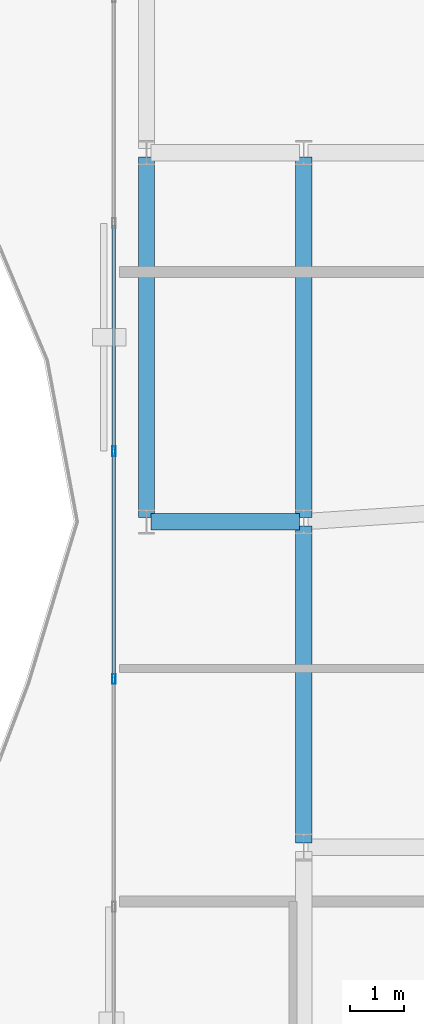
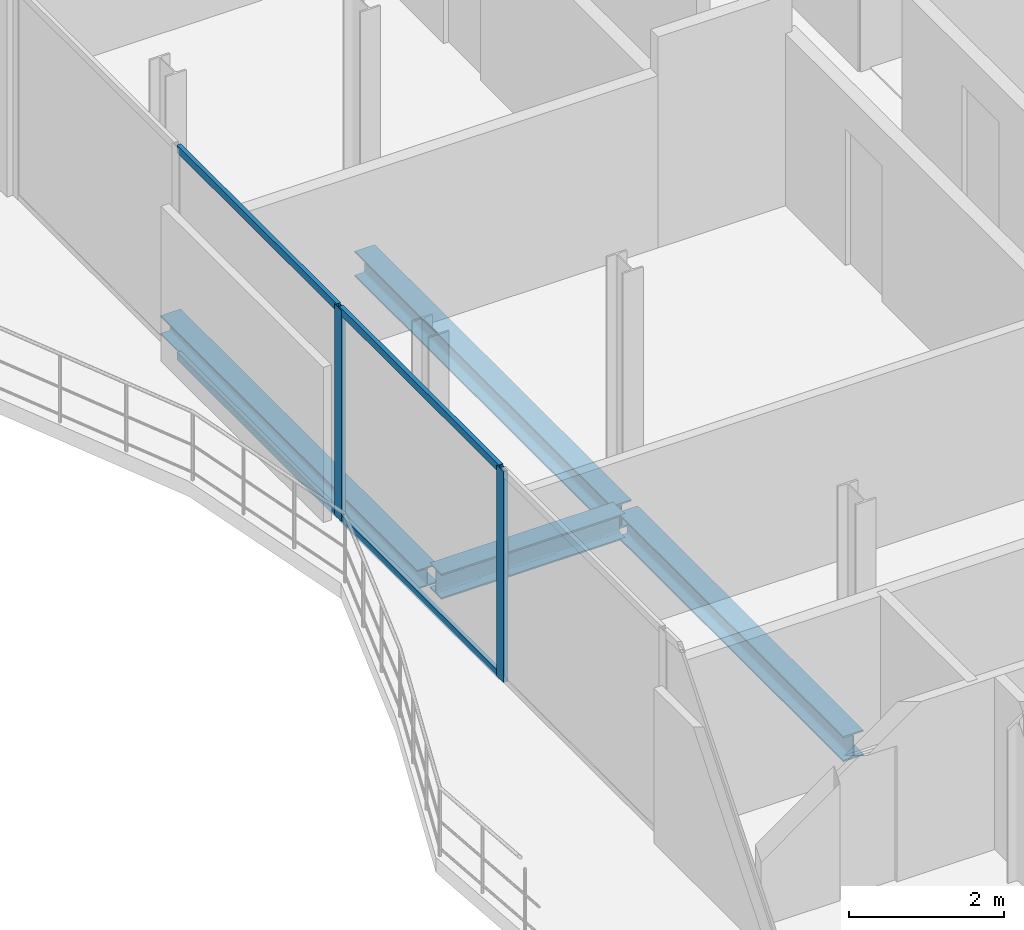
# One storey, part 7 of 23: 6 members, 4 beams, 1 element without a shape of its own.
"""IFC4 building model written with IfcOpenShell, lengths in metres."""

from ifc_helpers import new_model, si_unit, direction, frame, origin, origin_2d, place, context, subcontext, project, spatial, hollow_rectangle, i_section, extrude, material, layer, layer_set, material_profile, profile_set, type_object, element, aggregate, save


model = new_model("IFC4")

# Units and contexts
model_context = context("Model", 3, precision=1e-05, world=origin(), true_north=direction((0.0, 1.0)))
body_context = subcontext(model_context, "Body", "Model", "MODEL_VIEW")
ifc_project = project(units=[si_unit("LENGTHUNIT", "METRE"), si_unit("AREAUNIT", "SQUARE_METRE"), si_unit("VOLUMEUNIT", "CUBIC_METRE"), si_unit("PLANEANGLEUNIT", "RADIAN"), si_unit("MASSUNIT", "GRAM", prefix="KILO")], contexts=[model_context])

# Site, building, storey
site_placement = place(None, origin())
site = spatial("IfcSite", under=ifc_project, at=site_placement, CompositionType="ELEMENT")
building_placement = place(site_placement, origin())
building = spatial("IfcBuilding", under=site, at=building_placement, Name="Catumbela Crestline Tower", CompositionType="ELEMENT")
storey_placement = place(building_placement, frame((0.0, 0.0, 201.0)))
storey = spatial("IfcBuildingStorey", under=building, at=storey_placement, Name="L52", CompositionType="ELEMENT", Elevation=201.0)

# Beams
ifc_material_1 = material(Name="Structural steel S355J2", Category="steel")
ifc_material_profile_1 = material_profile(ifc_material_1, i_section(OverallWidth=0.3, OverallDepth=0.4, WebThickness=0.0135, FlangeThickness=0.024, FilletRadius=0.027, at=origin_2d()), Name="HEB 400")
ifc_profile_set_1 = profile_set([ifc_material_profile_1], Name="Structural steel S355J2")
beam_type_1 = type_object("IfcBeamType", Name="BG-HEB400", PredefinedType="BEAM", material=ifc_profile_set_1)
beam_1_placement = place(storey_placement, frame((5.68, 24.0, -0.46), z_axis=(1.0, 0.0, 0.0), x_axis=(0.0, 1.0, 0.0)))
element("IfcBeam", 1, at=beam_1_placement, inside=storey, type_object=beam_type_1, Name="L52 Beam BM-L52-S01", PredefinedType="BEAM", context=body_context, shape_type="SweptSolid", body=[
    extrude(i_section(OverallWidth=0.3, OverallDepth=0.4, WebThickness=0.0135, FlangeThickness=0.024, FilletRadius=0.027, at=origin_2d()), origin(), (0.0, 0.0, 1.0), 2.74),
])
beam_2_placement = place(storey_placement, frame((8.5, 24.08, -0.46), z_axis=(0.0, 1.0, 0.0), x_axis=(-1.0, 0.0, 0.0)))
element("IfcBeam", 2, at=beam_2_placement, inside=storey, type_object=beam_type_1, Name="L52 Beam BM-L52-SN16", PredefinedType="BEAM", context=body_context, shape_type="SweptSolid", body=[
    extrude(i_section(OverallWidth=0.3, OverallDepth=0.4, WebThickness=0.0135, FlangeThickness=0.024, FilletRadius=0.027, at=origin_2d()), origin(), (0.0, 0.0, 1.0), 6.64),
])
beam_3_placement = place(storey_placement, frame((8.5, 18.08, -0.46), z_axis=(0.0, 1.0, 0.0), x_axis=(-1.0, 0.0, 0.0)))
element("IfcBeam", 3, at=beam_3_placement, inside=storey, type_object=beam_type_1, Name="L52 Beam BM-L52-WNS39", PredefinedType="BEAM", context=body_context, shape_type="SweptSolid", body=[
    extrude(i_section(OverallWidth=0.3, OverallDepth=0.4, WebThickness=0.0135, FlangeThickness=0.024, FilletRadius=0.027, at=origin_2d()), origin(), (0.0, 0.0, 1.0), 5.84),
])

# Curtain wall, members
ifc_material_2 = material(Name="Aluminium alloy AW-6060-T66", Category="aluminium")
ifc_layer = layer(ifc_material_2, 0.18, Name="Aluminium alloy AW-6060-T66")
ifc_layer_set = layer_set([ifc_layer], Name="Aluminium alloy AW-6060-T66")
curtain_wall_type = type_object("IfcCurtainWallType", Name="CWU-Z3", PredefinedType="USERDEFINED", material=ifc_layer_set)
curtain_wall_placement = place(storey_placement, origin())
curtain_wall = element("IfcCurtainWall", 4, at=curtain_wall_placement, inside=storey, type_object=curtain_wall_type, Name="L52 Unitised Curtain Wall CW-L52-E9S2", ObjectType="UNITISED", PredefinedType="USERDEFINED")
ifc_material_profile_2 = material_profile(ifc_material_2, hollow_rectangle(XDim=0.065, YDim=0.18, WallThickness=0.004, at=origin_2d()), Name="ALU 180x65x4")
ifc_profile_set_2 = profile_set([ifc_material_profile_2], Name="Aluminium alloy AW-6060-T66")
member_type_1 = type_object("IfcMemberType", Name="MUL-180X65", PredefinedType="MULLION", material=ifc_profile_set_2)
member_1_placement = place(storey_placement, frame((5.0, 25.3, 0.0), z_axis=(0.0, 0.0, 1.0), x_axis=(1.0, 0.0, 0.0)))
member_1 = element("IfcMember", 5, at=member_1_placement, type_object=member_type_1, Name="CWU-Z3 mullion 3", PredefinedType="MULLION", context=body_context, shape_type="SweptSolid", body=[
    extrude(hollow_rectangle(XDim=0.065, YDim=0.18, WallThickness=0.004, at=origin_2d()), origin(), (0.0, 0.0, 1.0), 3.33),
])
member_2_placement = place(storey_placement, frame((5.0, 21.1, 0.0), z_axis=(0.0, 0.0, 1.0), x_axis=(1.0, 0.0, 0.0)))
member_2 = element("IfcMember", 6, at=member_2_placement, type_object=member_type_1, Name="CWU-Z3 mullion 4", PredefinedType="MULLION", context=body_context, shape_type="SweptSolid", body=[
    extrude(hollow_rectangle(XDim=0.065, YDim=0.18, WallThickness=0.004, at=origin_2d()), origin(), (0.0, 0.0, 1.0), 3.33),
])

# Beam
ifc_material_profile_3 = material_profile(ifc_material_1, i_section(OverallWidth=0.3, OverallDepth=0.3, WebThickness=0.011, FlangeThickness=0.019, FilletRadius=0.027, at=origin_2d()), Name="HEB 300")
ifc_profile_set_3 = profile_set([ifc_material_profile_3], Name="Structural steel S355J2")
beam_type_2 = type_object("IfcBeamType", Name="BS-HEB300", PredefinedType="SPANDREL", material=ifc_profile_set_3)
beam_4_placement = place(storey_placement, frame((5.6, 24.08, -0.41), z_axis=(0.0, 1.0, 0.0), x_axis=(-1.0, 0.0, 0.0)))
element("IfcBeam", 7, at=beam_4_placement, inside=storey, type_object=beam_type_2, Name="L52 Spandrel SP-L52-SN14", PredefinedType="SPANDREL", context=body_context, shape_type="SweptSolid", body=[
    extrude(i_section(OverallWidth=0.3, OverallDepth=0.3, WebThickness=0.011, FlangeThickness=0.019, FilletRadius=0.027, at=origin_2d()), origin(), (0.0, 0.0, 1.0), 6.64),
])

# Member
ifc_material_profile_4 = material_profile(ifc_material_2, hollow_rectangle(XDim=0.06, YDim=0.12, WallThickness=0.0035, at=origin_2d()), Name="ALU 120x60x3.5")
ifc_profile_set_4 = profile_set([ifc_material_profile_4], Name="Aluminium alloy AW-6060-T66")
member_type_2 = type_object("IfcMemberType", Name="TRN-120X60", PredefinedType="USERDEFINED", material=ifc_profile_set_4)
member_3_placement = place(storey_placement, frame((5.0, 29.4675, 0.03), z_axis=(0.0, -1.0, 0.0), x_axis=(1.0, 0.0, 0.0)))
member_3 = element("IfcMember", 8, at=member_3_placement, type_object=member_type_2, Name="CWU-Z3 transom 2.1", ObjectType="TRANSOM", PredefinedType="USERDEFINED", context=body_context, shape_type="SweptSolid", body=[
    extrude(hollow_rectangle(XDim=0.06, YDim=0.12, WallThickness=0.0035, at=origin_2d()), origin(), (0.0, 0.0, 1.0), 4.135),
])

member_4_placement = place(storey_placement, frame((5.0, 29.4675, 3.3), z_axis=(0.0, -1.0, 0.0), x_axis=(1.0, 0.0, 0.0)))
member_4 = element("IfcMember", 9, at=member_4_placement, type_object=member_type_2, Name="CWU-Z3 transom 2.2", ObjectType="TRANSOM", PredefinedType="USERDEFINED", context=body_context, shape_type="SweptSolid", body=[
    extrude(hollow_rectangle(XDim=0.06, YDim=0.12, WallThickness=0.0035, at=origin_2d()), origin(), (0.0, 0.0, 1.0), 4.135),
])

member_5_placement = place(storey_placement, frame((5.0, 25.2675, 0.03), z_axis=(0.0, -1.0, 0.0), x_axis=(1.0, 0.0, 0.0)))
member_5 = element("IfcMember", 10, at=member_5_placement, type_object=member_type_2, Name="CWU-Z3 transom 3.1", ObjectType="TRANSOM", PredefinedType="USERDEFINED", context=body_context, shape_type="SweptSolid", body=[
    extrude(hollow_rectangle(XDim=0.06, YDim=0.12, WallThickness=0.0035, at=origin_2d()), origin(), (0.0, 0.0, 1.0), 4.135),
])

member_6_placement = place(storey_placement, frame((5.0, 25.2675, 3.3), z_axis=(0.0, -1.0, 0.0), x_axis=(1.0, 0.0, 0.0)))
member_6 = element("IfcMember", 11, at=member_6_placement, type_object=member_type_2, Name="CWU-Z3 transom 3.2", ObjectType="TRANSOM", PredefinedType="USERDEFINED", context=body_context, shape_type="SweptSolid", body=[
    extrude(hollow_rectangle(XDim=0.06, YDim=0.12, WallThickness=0.0035, at=origin_2d()), origin(), (0.0, 0.0, 1.0), 4.135),
])

aggregate(curtain_wall, [member_1, member_2, member_3, member_4, member_5, member_6])

save(model, "model.ifc")
